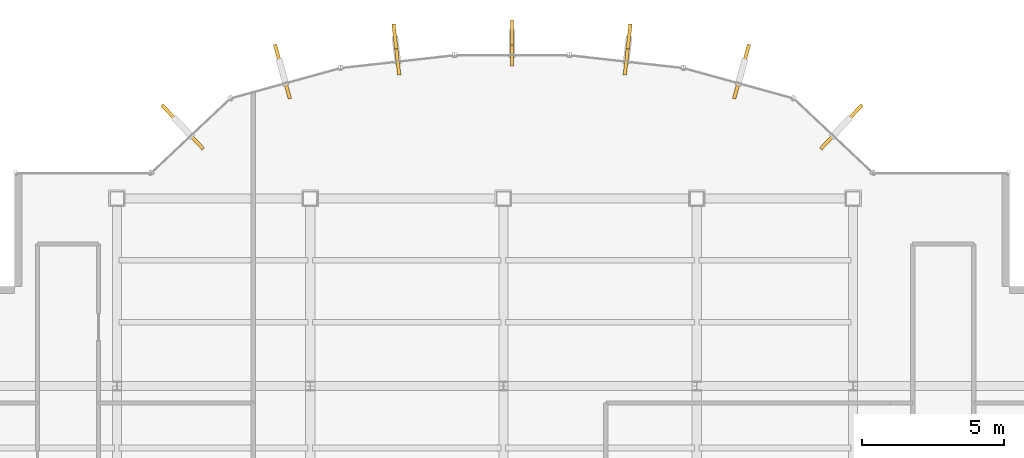
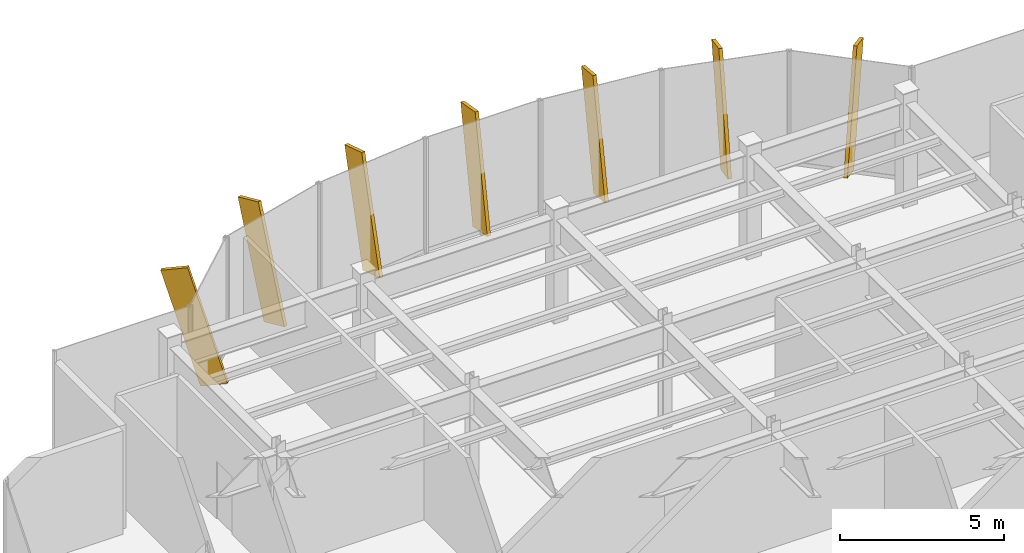
# One storey, part 23 of 24: 7 shading devices.
"""IFC4 building model written with IfcOpenShell, lengths in metres."""

from ifc_helpers import new_model, si_unit, derived_unit, direction, frame, origin, origin_2d, place, context, subcontext, project, spatial, rectangle, extrude, source, transform, mapped, material, type_object, element, save


model = new_model("IFC4")

# Units and contexts
model_context = context("Model", 3, precision=1e-05, world=origin(), true_north=direction((0.0, 1.0)))
body_context = subcontext(model_context, "Body", "Model", "MODEL_VIEW")
ifc_project = project(units=[si_unit("LENGTHUNIT", "METRE"), si_unit("AREAUNIT", "SQUARE_METRE"), si_unit("VOLUMEUNIT", "CUBIC_METRE"), si_unit("PLANEANGLEUNIT", "RADIAN"), si_unit("MASSUNIT", "GRAM", prefix="KILO"), derived_unit("THERMALTRANSMITTANCEUNIT", [(si_unit("POWERUNIT", "WATT"), 1), (si_unit("LENGTHUNIT", "METRE"), -2), (si_unit("THERMODYNAMICTEMPERATUREUNIT", "KELVIN"), -1)])], contexts=[model_context])

# Site, building, storey
site_placement = place(None, origin())
site = spatial("IfcSite", under=ifc_project, at=site_placement, CompositionType="ELEMENT")
building_placement = place(site_placement, origin())
building = spatial("IfcBuilding", under=site, at=building_placement, Name="Skarnbrae Concourse Arena and Tower", CompositionType="ELEMENT")
storey_placement = place(building_placement, frame((0.0, 0.0, 288.0)))
storey = spatial("IfcBuildingStorey", under=building, at=storey_placement, Name="L75", CompositionType="ELEMENT", Elevation=288.0)

# Shading devices
ifc_material = material(Name="Bronze anodised aluminium 6063-T6", Category="aluminium")
shading_device_type = type_object("IfcShadingDeviceType", Name="SHD-BRONZE-FIN-900", PredefinedType="USERDEFINED", material=ifc_material)
shared_shape = source(origin(), body_context, "Body", "SweptSolid", [
    extrude(rectangle(XDim=0.1201171875, YDim=0.89990234375, at=origin_2d()), origin(), (0.0, 0.0, 1.0), 4.25),
])
for number, where, z_axis, x_axis, name in (
    (1, (32.658203125, 36.45751953125, 0.0966796875), (0.204517004551, 0.217255972062, 0.954448865814), (0.728131751529, -0.685437198009, 0.0), "L75 Outward-leaning bronze shading fin 08"),
    (2, (29.431396484375, 38.329833984375, 0.07421875), (0.069616483156, 0.252603280643, 0.965062240418), (0.964058316208, -0.265690728011, 0.0), "L75 Outward-leaning bronze shading fin 09"),
    (3, (25.5166015625, 39.177978515625, 0.05126953125), (0.024350376121, 0.217122703093, 0.975840556128), (0.993769864509, -0.111451587667, 0.0), "L75 Outward-leaning bronze shading fin 10"),
    (4, (21.5, 39.497802734375, 0.0322265625), (0.0, 0.173648177667, 0.984807753012), (1.0, 0.0, 0.0), "L75 Outward-leaning bronze shading fin 11"),
    (5, (17.4833984375, 39.177978515625, 0.05126953125), (-0.024350376121, 0.217122703093, 0.975840556128), (0.993769864509, 0.111451587667, 0.0), "L75 Outward-leaning bronze shading fin 12"),
    (6, (13.568603515625, 38.329833984375, 0.07421875), (-0.069616483156, 0.252603280643, 0.965062240418), (0.964058316208, 0.265690728011, 0.0), "L75 Outward-leaning bronze shading fin 13"),
    (7, (10.341796875, 36.45751953125, 0.0966796875), (-0.204517004551, 0.217255972062, 0.954448865814), (0.728131751529, 0.685437198009, 0.0), "L75 Outward-leaning bronze shading fin 14"),
):
    element("IfcShadingDevice", number, at=place(storey_placement, frame(where, z_axis=z_axis, x_axis=x_axis)), inside=storey, type_object=shading_device_type, Name=name, ObjectType="FIN", PredefinedType="USERDEFINED", context=body_context, shape_type="MappedRepresentation", body=[
        mapped(shared_shape, transform((0.0, 0.0, 0.0))),
    ])

save(model, "model.ifc")
